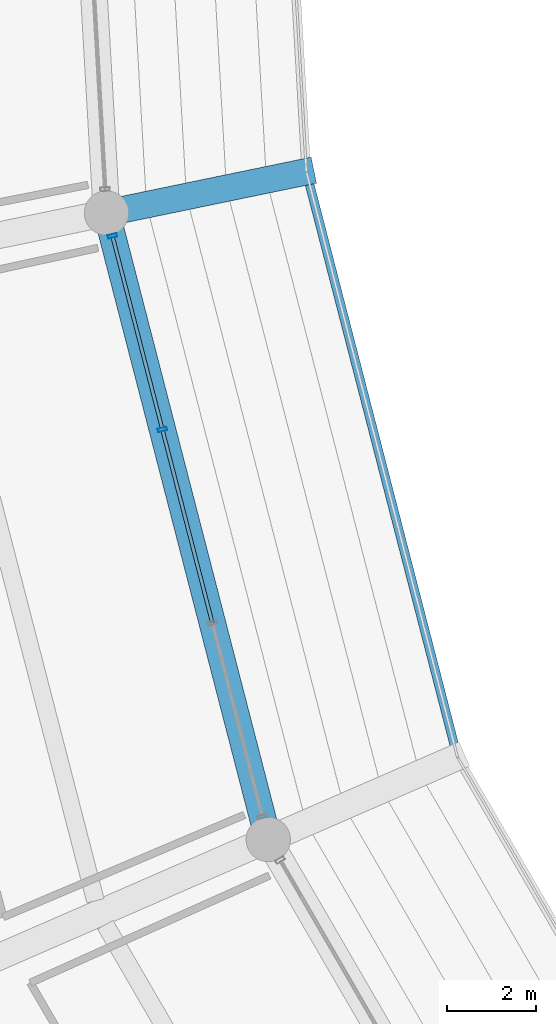
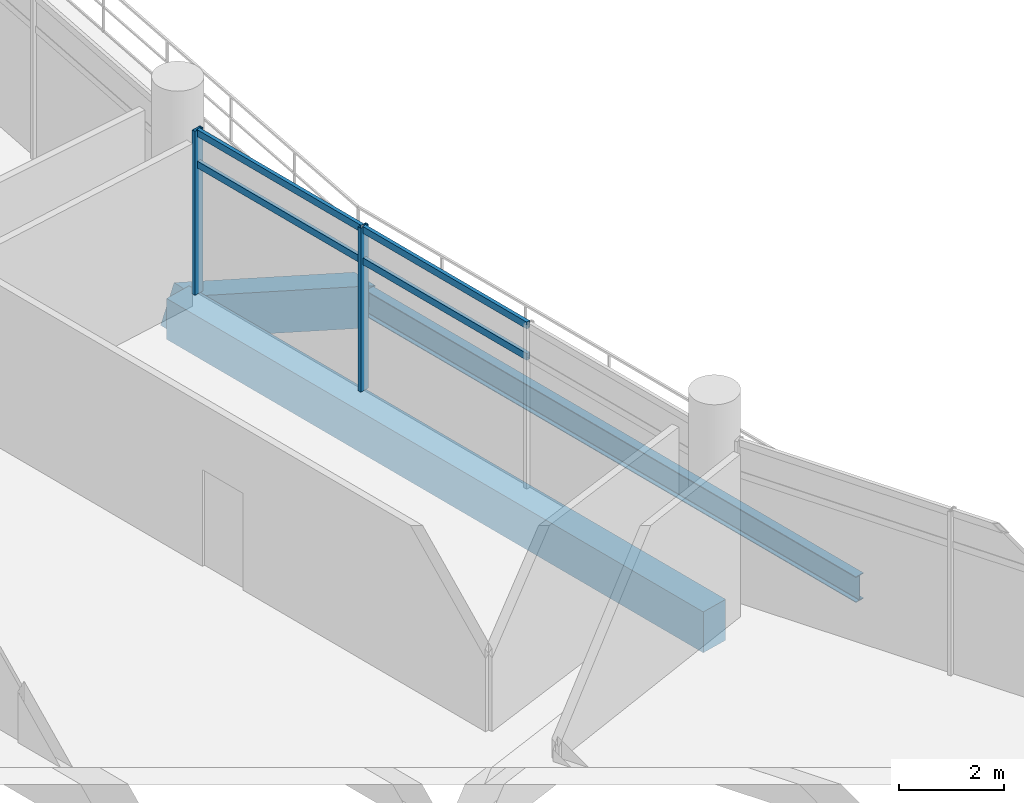
# One storey, part 39 of 171: 6 members, 3 beams, 1 element without a shape of its own.
"""IFC4 building model written with IfcOpenShell, lengths in metres."""

from ifc_helpers import new_model, si_unit, direction, frame, origin, origin_2d, place, context, subcontext, project, spatial, rectangle, hollow_rectangle, i_section, extrude, material, layer, layer_set, material_profile, profile_set, type_object, element, aggregate, save


model = new_model("IFC4")

# Units and contexts
model_context = context("Model", 3, precision=1e-05, world=origin(), true_north=direction((0.0, 1.0)))
body_context = subcontext(model_context, "Body", "Model", "MODEL_VIEW")
ifc_project = project(units=[si_unit("LENGTHUNIT", "METRE"), si_unit("AREAUNIT", "SQUARE_METRE"), si_unit("VOLUMEUNIT", "CUBIC_METRE"), si_unit("PLANEANGLEUNIT", "RADIAN"), si_unit("MASSUNIT", "GRAM", prefix="KILO")], contexts=[model_context])

# Site, building, storey
site_placement = place(None, origin())
site = spatial("IfcSite", under=ifc_project, at=site_placement, CompositionType="ELEMENT")
building_placement = place(site_placement, origin())
building = spatial("IfcBuilding", under=site, at=building_placement, Name="Kazemori Nagisa Stadium", CompositionType="ELEMENT")
storey_placement = place(building_placement, frame((0.0, 0.0, 15.639892578125)))
storey = spatial("IfcBuildingStorey", under=building, at=storey_placement, Name="L03", CompositionType="ELEMENT", Elevation=15.639892578125)

# Beams
ifc_material_1 = material(Name="Concrete C40/50 (Fc42)", Category="concrete")
ifc_material_profile_1 = material_profile(ifc_material_1, rectangle(XDim=0.60009765625, YDim=0.949951171875, at=origin_2d()), Name="RC-BM-600x950")
ifc_profile_set_1 = profile_set([ifc_material_profile_1], Name="Concrete C40/50 (Fc42)")
beam_type_1 = type_object("IfcBeamType", Name="Beam_BG-RC600X950", PredefinedType="BEAM", material=ifc_profile_set_1)
beam_1_placement = place(storey_placement, frame((54.467041015625, 87.839599609375, -0.73486328125), z_axis=(0.249966077383, -0.9682545947, 0.0), x_axis=(0.9682545947, 0.249966077383, 0.0)))
element("IfcBeam", 1, at=beam_1_placement, inside=storey, type_object=beam_type_1, Name="Ring girder BG-RC600X950 L03 R1-16", PredefinedType="BEAM", context=body_context, shape_type="SweptSolid", body=[
    extrude(rectangle(XDim=0.60009765625, YDim=0.949951171875, at=origin_2d()), origin(), (0.0, 0.0, 1.0), 14.58984375),
])
ifc_material_2 = material(Name="Steel SN490B", Category="steel")
ifc_material_profile_2 = material_profile(ifc_material_2, i_section(OverallWidth=0.199951171875, OverallDepth=0.60009765625, WebThickness=0.010986328125, FlangeThickness=0.01708984375, FilletRadius=0.012939453125, at=origin_2d()), Name="H-600x200x11x17")
ifc_profile_set_2 = profile_set([ifc_material_profile_2], Name="Steel SN490B")
beam_type_2 = type_object("IfcBeamType", Name="Beam_BS-H600", PredefinedType="SPANDREL", material=ifc_profile_set_2)
beam_2_placement = place(storey_placement, frame((58.973388671875, 88.770751953125, -2.46484375), z_axis=(0.249950064829, -0.968258728384, 0.0), x_axis=(0.968258728384, 0.249950064829, 0.0)))
element("IfcBeam", 2, at=beam_2_placement, inside=storey, type_object=beam_type_2, Name="Club tier front edge beam 16", PredefinedType="SPANDREL", context=body_context, shape_type="SweptSolid", body=[
    extrude(i_section(OverallWidth=0.199951171875, OverallDepth=0.60009765625, WebThickness=0.010986328125, FlangeThickness=0.01708984375, FilletRadius=0.012939453125, at=origin_2d()), origin(), (0.0, 0.0, 1.0), 13.630615234375),
])
ifc_material_profile_3 = material_profile(ifc_material_1, rectangle(XDim=0.60009765625, YDim=0.89990234375, at=origin_2d()), Name="RC-RK-600x900")
ifc_profile_set_3 = profile_set([ifc_material_profile_3], Name="Concrete C40/50 (Fc42)")
beam_type_3 = type_object("IfcBeamType", Name="Beam_RK-RC600X900", PredefinedType="USERDEFINED", material=ifc_profile_set_3)
beam_3_placement = place(storey_placement, frame((58.973388671875, 88.770751953125, -2.58984375), z_axis=(-0.905191299134, -0.187040828632, 0.381633908867), x_axis=(0.202356469129, -0.979311931614, 0.0)))
element("IfcBeam", 3, at=beam_3_placement, inside=storey, type_object=beam_type_3, Name="Raker beam club RK2-16", ObjectType="RAKER BEAM", PredefinedType="USERDEFINED", context=body_context, shape_type="SweptSolid", body=[
    extrude(rectangle(XDim=0.60009765625, YDim=0.89990234375, at=origin_2d()), origin(), (0.0, 0.0, 1.0), 4.978271484375),
])

# Curtain wall, members
ifc_material_3 = material(Name="Anodised aluminium 6063-T5", Category="aluminium")
ifc_layer = layer(ifc_material_3, 0.2099609375, Name="Anodised aluminium 6063-T5", Category="aluminium")
ifc_layer_set = layer_set([ifc_layer], Name="Anodised aluminium 6063-T5")
curtain_wall_type = type_object("IfcCurtainWallType", Name="CW_L03B_68", PredefinedType="USERDEFINED", material=ifc_layer_set)
curtain_wall_placement = place(storey_placement, origin())
curtain_wall = element("IfcCurtainWall", 4, at=curtain_wall_placement, inside=storey, type_object=curtain_wall_type, Name="Unitised curtain wall CW-L03B-68 L03", ObjectType="UNITISED CURTAIN WALL", PredefinedType="USERDEFINED")
ifc_material_4 = material(Name="Aluminium 6063-T5 anodised", Category="aluminium")
ifc_material_profile_4 = material_profile(ifc_material_4, hollow_rectangle(XDim=0.080078125, YDim=0.2099609375, WallThickness=0.0048828125, at=origin_2d()), Name="ALU-MULL-80x210x5")
ifc_profile_set_4 = profile_set([ifc_material_profile_4], Name="Aluminium 6063-T5 anodised")
member_type_1 = type_object("IfcMemberType", Name="Mullion_M02", PredefinedType="MULLION", material=ifc_profile_set_4)
member_1_placement = place(storey_placement, frame((54.600830078125, 87.32177734375, 0.0), z_axis=(0.0, 0.0, 1.0), x_axis=(0.249964642418, -0.968254965152, 0.0)))
member_1 = element("IfcMember", 5, at=member_1_placement, type_object=member_type_1, Name="Curtain wall mullion CW-L03B-68-M1", PredefinedType="MULLION", context=body_context, shape_type="SweptSolid", body=[
    extrude(hollow_rectangle(XDim=0.080078125, YDim=0.2099609375, WallThickness=0.0048828125, at=origin_2d()), origin(), (0.0, 0.0, 1.0), 3.81005859375),
])
member_2_placement = place(storey_placement, frame((55.727294921875, 82.9580078125, 0.0), z_axis=(0.0, 0.0, 1.0), x_axis=(0.249964642418, -0.968254965152, 0.0)))
member_2 = element("IfcMember", 6, at=member_2_placement, type_object=member_type_1, Name="Curtain wall mullion CW-L03B-68-M2", PredefinedType="MULLION", context=body_context, shape_type="SweptSolid", body=[
    extrude(hollow_rectangle(XDim=0.080078125, YDim=0.2099609375, WallThickness=0.0048828125, at=origin_2d()), origin(), (0.0, 0.0, 1.0), 3.81005859375),
])
ifc_material_profile_5 = material_profile(ifc_material_4, hollow_rectangle(XDim=0.080078125, YDim=0.159912109375, WallThickness=0.00390625, at=origin_2d()), Name="ALU-TRAN-80x160x4")
ifc_profile_set_5 = profile_set([ifc_material_profile_5], Name="Aluminium 6063-T5 anodised")
member_type_2 = type_object("IfcMemberType", Name="Transom_T02", PredefinedType="USERDEFINED", material=ifc_profile_set_5)
member_3_placement = place(storey_placement, frame((54.605712890625, 87.30224609375, 3.010009765625), z_axis=(0.249962328516, -0.968255562505, 0.0), x_axis=(0.968255562505, 0.249962328516, 0.0)))
member_3 = element("IfcMember", 7, at=member_3_placement, type_object=member_type_2, Name="Curtain wall transom CW-L03B-68-T1-mid", ObjectType="TRANSOM", PredefinedType="USERDEFINED", context=body_context, shape_type="SweptSolid", body=[
    extrude(hollow_rectangle(XDim=0.080078125, YDim=0.159912109375, WallThickness=0.00390625, at=origin_2d()), origin(), (0.0, 0.0, 1.0), 4.466552734375),
])
member_4_placement = place(storey_placement, frame((54.605712890625, 87.30224609375, 3.739990234375), z_axis=(0.249962328516, -0.968255562505, 0.0), x_axis=(0.968255562505, 0.249962328516, 0.0)))
member_4 = element("IfcMember", 8, at=member_4_placement, type_object=member_type_2, Name="Curtain wall transom CW-L03B-68-T1-head", ObjectType="TRANSOM", PredefinedType="USERDEFINED", context=body_context, shape_type="SweptSolid", body=[
    extrude(hollow_rectangle(XDim=0.080078125, YDim=0.159912109375, WallThickness=0.00390625, at=origin_2d()), origin(), (0.0, 0.0, 1.0), 4.466552734375),
])
member_5_placement = place(storey_placement, frame((55.732177734375, 82.938720703125, 3.010009765625), z_axis=(0.25000034168, -0.96824574833, 0.0), x_axis=(0.96824574833, 0.25000034168, 0.0)))
member_5 = element("IfcMember", 9, at=member_5_placement, type_object=member_type_2, Name="Curtain wall transom CW-L03B-68-T2-mid", ObjectType="TRANSOM", PredefinedType="USERDEFINED", context=body_context, shape_type="SweptSolid", body=[
    extrude(hollow_rectangle(XDim=0.080078125, YDim=0.159912109375, WallThickness=0.00390625, at=origin_2d()), origin(), (0.0, 0.0, 1.0), 4.466796875),
])
member_6_placement = place(storey_placement, frame((55.732177734375, 82.938720703125, 3.739990234375), z_axis=(0.25000034168, -0.96824574833, 0.0), x_axis=(0.96824574833, 0.25000034168, 0.0)))
member_6 = element("IfcMember", 10, at=member_6_placement, type_object=member_type_2, Name="Curtain wall transom CW-L03B-68-T2-head", ObjectType="TRANSOM", PredefinedType="USERDEFINED", context=body_context, shape_type="SweptSolid", body=[
    extrude(hollow_rectangle(XDim=0.080078125, YDim=0.159912109375, WallThickness=0.00390625, at=origin_2d()), origin(), (0.0, 0.0, 1.0), 4.466796875),
])
aggregate(curtain_wall, [member_1, member_2, member_3, member_4, member_5, member_6])

save(model, "model.ifc")
